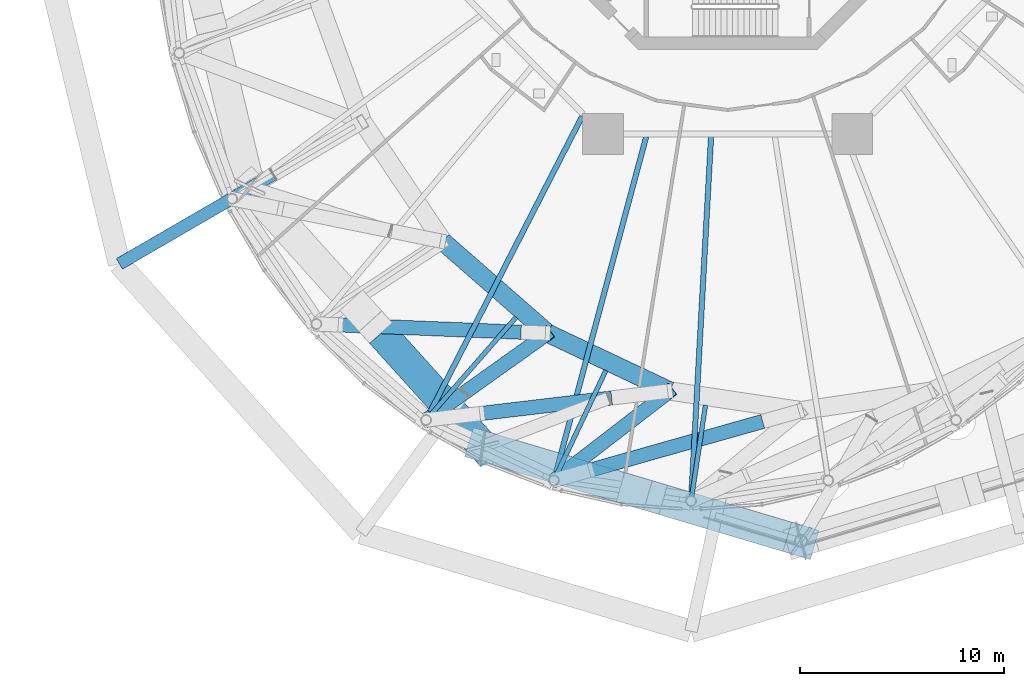
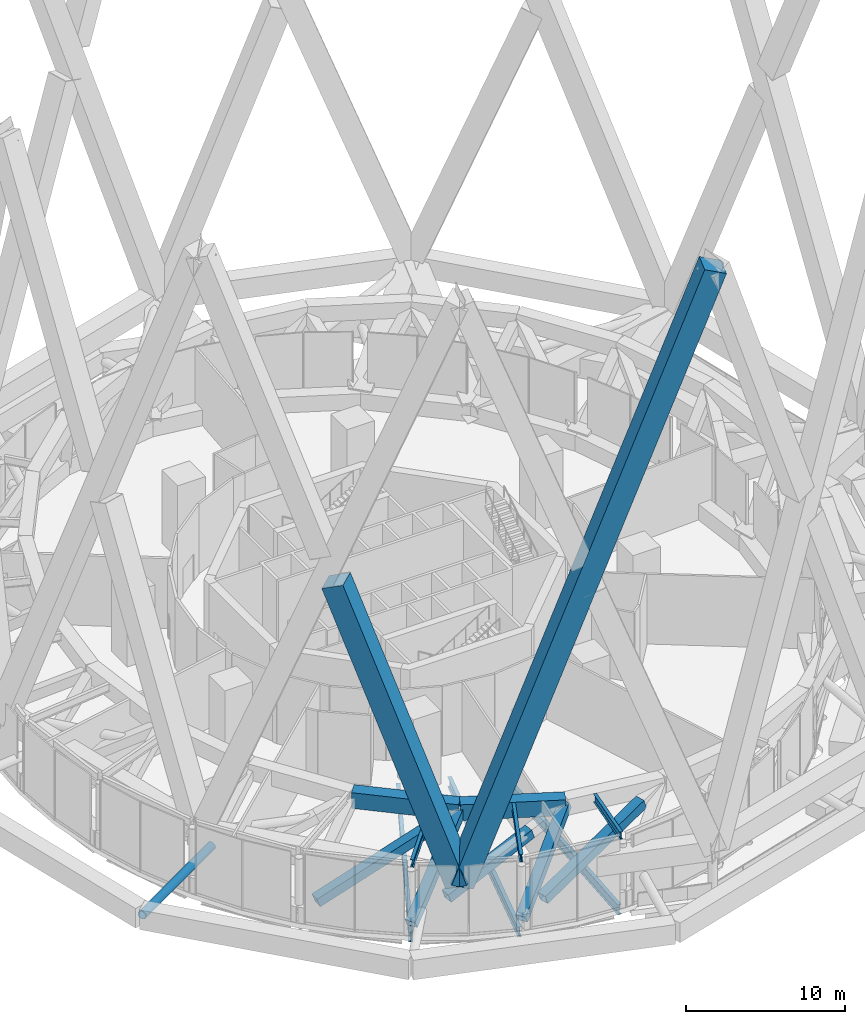
# One storey, part 7 of 49: 13 beams, 3 members.
"""IFC4 building model written with IfcOpenShell, lengths in metres."""

from ifc_helpers import new_model, si_unit, direction, frame, origin, origin_2d, place, context, subcontext, project, spatial, rectangle, hollow_rectangle, hollow_circle, i_section, extrude, material, material_profile, profile_set, type_object, element, save


model = new_model("IFC4")

# Units and contexts
model_context = context("Model", 3, precision=1e-05, world=origin(), true_north=direction((0.0, 1.0)))
body_context = subcontext(model_context, "Body", "Model", "MODEL_VIEW")
ifc_project = project(units=[si_unit("LENGTHUNIT", "METRE"), si_unit("AREAUNIT", "SQUARE_METRE"), si_unit("VOLUMEUNIT", "CUBIC_METRE"), si_unit("PLANEANGLEUNIT", "RADIAN"), si_unit("MASSUNIT", "GRAM", prefix="KILO")], contexts=[model_context])

# Site, building, storey
site_placement = place(None, origin())
site = spatial("IfcSite", under=ifc_project, at=site_placement, CompositionType="ELEMENT")
building_placement = place(site_placement, origin())
building = spatial("IfcBuilding", under=site, at=building_placement, Name="Nagisa Residences", CompositionType="ELEMENT")
storey_placement = place(building_placement, frame((0.0, 0.0, 160.300048828125)))
storey = spatial("IfcBuildingStorey", under=building, at=storey_placement, Name="L40", CompositionType="ELEMENT", Elevation=160.300048828125)

# Beams
ifc_material_1 = material(Name="Steel ASTM A572 Gr 50", Category="steel")
ifc_material_profile_1 = material_profile(ifc_material_1, hollow_rectangle(XDim=0.89990234375, YDim=1.199951171875, WallThickness=0.044921875, at=origin_2d()), Name="BX 900x1200x45")
ifc_profile_set_1 = profile_set([ifc_material_profile_1], Name="Steel ASTM A572 Gr 50")
beam_type_1 = type_object("IfcBeamType", Name="Belt chord 3 BX 900x1200x45", PredefinedType="BEAM", material=ifc_profile_set_1)
beam_1_placement = place(storey_placement, frame((-13.9892578125, -20.064208984375, 4.739990234375), z_axis=(0.75247507353, -0.658620728277, 0.0), x_axis=(0.658620728277, 0.75247507353, 0.0)))
element("IfcBeam", 1, at=beam_1_placement, inside=storey, type_object=beam_type_1, Name="beam:L40:bt3t16", PredefinedType="BEAM", context=body_context, shape_type="SweptSolid", body=[
    extrude(hollow_rectangle(XDim=0.89990234375, YDim=1.199951171875, WallThickness=0.044921875, at=origin_2d()), origin(), (0.0, 0.0, 1.0), 6.846435546875),
])
beam_2_placement = place(storey_placement, frame((-8.83740234375, -24.573486328125, 4.739990234375), z_axis=(0.90414798846, -0.427219399097, 0.0), x_axis=(0.427219399097, 0.90414798846, 0.0)))
element("IfcBeam", 2, at=beam_2_placement, inside=storey, type_object=beam_type_1, Name="beam:L40:bt3t17", PredefinedType="BEAM", context=body_context, shape_type="SweptSolid", body=[
    extrude(hollow_rectangle(XDim=0.89990234375, YDim=1.199951171875, WallThickness=0.044921875, at=origin_2d()), origin(), (0.0, 0.0, 1.0), 6.63525390625),
])
ifc_material_2 = material(Name="Steel ASTM A572 Gr 50", Category="steel")
ifc_material_profile_2 = material_profile(ifc_material_2, hollow_rectangle(XDim=0.699951171875, YDim=0.699951171875, WallThickness=0.0400390625, at=origin_2d()), Name="BX 700x700x40")
ifc_profile_set_2 = profile_set([ifc_material_profile_2], Name="Steel ASTM A572 Gr 50")
beam_type_2 = type_object("IfcBeamType", Name="Belt diagonal 3 BX 700x700x40", PredefinedType="BEAM", material=ifc_profile_set_2)
beam_3_placement = place(storey_placement, frame((-19.0146484375, -24.163330078125, 1.034912109375), z_axis=(0.938993264589, -0.03784966463, 0.341846532736), x_axis=(0.040276064232, 0.999188590132, 0.0)))
element("IfcBeam", 3, at=beam_3_placement, inside=storey, type_object=beam_type_2, Name="beam:L40:bt3db16", PredefinedType="BEAM", context=body_context, shape_type="SweptSolid", body=[
    extrude(hollow_rectangle(XDim=0.699951171875, YDim=0.699951171875, WallThickness=0.0400390625, at=origin_2d()), origin(), (0.0, 0.0, 1.0), 9.565673828125),
])
beam_4_placement = place(storey_placement, frame((-14.8173828125, -28.834228515625, 0.599853515625), z_axis=(0.709419278494, 0.505461960001, 0.491154246946), x_axis=(-0.580275340537, 0.814420363918, 0.0)))
element("IfcBeam", 4, at=beam_4_placement, inside=storey, type_object=beam_type_2, Name="beam:L40:bt3da17", PredefinedType="BEAM", context=body_context, shape_type="SweptSolid", body=[
    extrude(hollow_rectangle(XDim=0.699951171875, YDim=0.699951171875, WallThickness=0.0400390625, at=origin_2d()), origin(), (0.0, 0.0, 1.0), 8.429443359375),
])
beam_5_placement = place(storey_placement, frame((-12.068603515625, -28.507080078125, 1.550048828125), z_axis=(0.939223203567, 0.111826605389, 0.324583709094), x_axis=(-0.118227817133, 0.992986497016, 0.0)))
element("IfcBeam", 5, at=beam_5_placement, inside=storey, type_object=beam_type_2, Name="beam:L40:bt3db17", PredefinedType="BEAM", context=body_context, shape_type="SweptSolid", body=[
    extrude(hollow_rectangle(XDim=0.699951171875, YDim=0.699951171875, WallThickness=0.0400390625, at=origin_2d()), origin(), (0.0, 0.0, 1.0), 6.901123046875),
])
beam_6_placement = place(storey_placement, frame((-8.538330078125, -31.80078125, 0.599853515625), z_axis=(0.6865826732, 0.52908152545, 0.49867521724), x_axis=(-0.61039258197, 0.792099044233, 0.0)))
element("IfcBeam", 6, at=beam_6_placement, inside=storey, type_object=beam_type_2, Name="beam:L40:bt3da18", PredefinedType="BEAM", context=body_context, shape_type="SweptSolid", body=[
    extrude(hollow_rectangle(XDim=0.699951171875, YDim=0.699951171875, WallThickness=0.0400390625, at=origin_2d()), origin(), (0.0, 0.0, 1.0), 8.30224609375),
])
beam_7_placement = place(storey_placement, frame((-6.705810546875, -31.28369140625, 1.224853515625), z_axis=(0.914398768364, 0.258068362159, 0.311890385981), x_axis=(-0.271617143766, 0.962405386109, 0.0)))
element("IfcBeam", 7, at=beam_7_placement, inside=storey, type_object=beam_type_2, Name="beam:L40:bt3db18", PredefinedType="BEAM", context=body_context, shape_type="SweptSolid", body=[
    extrude(hollow_rectangle(XDim=0.699951171875, YDim=0.699951171875, WallThickness=0.0400390625, at=origin_2d()), origin(), (0.0, 0.0, 1.0), 9.330810546875),
])

# Members
ifc_material_3 = material(Name="Concrete C80", Category="concrete")
ifc_material_profile_3 = material_profile(ifc_material_3, rectangle(XDim=1.5, YDim=1.5, at=origin_2d()), Name="C80 1500x1500")
ifc_profile_set_3 = profile_set([ifc_material_profile_3], Name="Concrete C80")
member_type_1 = type_object("IfcMemberType", Name="Cage diagonal 4 C80 1500x1500", PredefinedType="BRACE", material=ifc_profile_set_3)
member_1_placement = place(storey_placement, frame((-12.03759765625, -30.115966796875, 3.699951171875), z_axis=(-0.240088711993, 0.266960868955, 0.933321651319), x_axis=(-0.743537936889, -0.668693753827, 0.0)))
element("IfcMember", 8, at=member_1_placement, inside=storey, type_object=member_type_1, Name="mem:L40:cg4d016a", PredefinedType="BRACE", context=body_context, shape_type="SweptSolid", body=[
    extrude(rectangle(XDim=1.5, YDim=1.5, at=origin_2d()), origin(), (0.0, 0.0, 1.0), 22.740478515625),
])
member_2_placement = place(storey_placement, frame((-12.03759765625, -30.115966796875, 3.699951171875), z_axis=(0.329928774067, -0.098295615992, 0.938874313164), x_axis=(0.285527172125, 0.958370614104, 0.0)))
element("IfcMember", 9, at=member_2_placement, inside=storey, type_object=member_type_1, Name="mem:L40:cg4d017", PredefinedType="BRACE", context=body_context, shape_type="SweptSolid", body=[
    extrude(rectangle(XDim=1.5, YDim=1.5, at=origin_2d()), origin(), (0.0, 0.0, 1.0), 47.397216796875),
])
ifc_material_4 = material(Name="Steel ASTM A572 Gr 65", Category="steel")
ifc_material_profile_4 = material_profile(ifc_material_4, hollow_circle(Radius=0.304931640625, WallThickness=0.02490234375, at=origin_2d()), Name="CHS 610x25")
ifc_profile_set_4 = profile_set([ifc_material_profile_4], Name="Steel ASTM A572 Gr 65")
member_type_2 = type_object("IfcMemberType", Name="Cage strut CHS 610x25", PredefinedType="STRUT", material=ifc_profile_set_4)
member_3_placement = place(storey_placement, frame((-29.8896484375, -21.165283203125, 1.89990234375), z_axis=(0.864778766909, 0.502153048684, 0.0), x_axis=(-0.502153048684, 0.864778766909, 0.0)))
element("IfcMember", 10, at=member_3_placement, inside=storey, type_object=member_type_2, Name="mem:L40:bt3st3a08", PredefinedType="STRUT", context=body_context, shape_type="SweptSolid", body=[
    extrude(hollow_circle(Radius=0.304931640625, WallThickness=0.02490234375, at=origin_2d()), origin(), (0.0, 0.0, 1.0), 8.73486328125),
])

# Beams
ifc_material_5 = material(Name="Steel ASTM A572 Gr 50", Category="steel")
ifc_material_profile_5 = material_profile(ifc_material_5, i_section(OverallWidth=0.22802734375, OverallDepth=0.60302734375, WebThickness=0.010498046875, FlangeThickness=0.014892578125, at=origin_2d()), Name="W610x101")
ifc_profile_set_5 = profile_set([ifc_material_profile_5], Name="Steel ASTM A572 Gr 50")
beam_type_3 = type_object("IfcBeamType", Name="Garden radial beam W610x101", PredefinedType="BEAM", material=ifc_profile_set_5)
beam_8_placement = place(storey_placement, frame((-14.663330078125, -28.658203125, 5.038330078125), z_axis=(0.65862728459, 0.752469334919, 0.0), x_axis=(-0.752469334919, 0.65862728459, 0.0)))
element("IfcBeam", 11, at=beam_8_placement, inside=storey, type_object=beam_type_3, Name="beam:L40:bt3gr17", PredefinedType="BEAM", context=body_context, shape_type="SweptSolid", body=[
    extrude(i_section(OverallWidth=0.22802734375, OverallDepth=0.60302734375, WebThickness=0.010498046875, FlangeThickness=0.014892578125, at=origin_2d()), origin(), (0.0, 0.0, 1.0), 6.480712890625),
])
beam_9_placement = place(storey_placement, frame((-8.4384765625, -31.58935546875, 5.038330078125), z_axis=(0.427207135804, 0.904153782892, 0.0), x_axis=(-0.904153782892, 0.427207135804, 0.0)))
element("IfcBeam", 12, at=beam_9_placement, inside=storey, type_object=beam_type_3, Name="beam:L40:bt3gr18", PredefinedType="BEAM", context=body_context, shape_type="SweptSolid", body=[
    extrude(i_section(OverallWidth=0.22802734375, OverallDepth=0.60302734375, WebThickness=0.010498046875, FlangeThickness=0.014892578125, at=origin_2d()), origin(), (0.0, 0.0, 1.0), 5.742919921875),
])
beam_10_placement = place(storey_placement, frame((-1.76513671875, -32.581298828125, 5.038330078125), z_axis=(0.148485511191, 0.988914583251, 0.0), x_axis=(-0.988914583251, 0.148485511191, 0.0)))
element("IfcBeam", 13, at=beam_10_placement, inside=storey, type_object=beam_type_3, Name="beam:L40:bt3gr19", PredefinedType="BEAM", context=body_context, shape_type="SweptSolid", body=[
    extrude(i_section(OverallWidth=0.22802734375, OverallDepth=0.60302734375, WebThickness=0.010498046875, FlangeThickness=0.014892578125, at=origin_2d()), origin(), (0.0, 0.0, 1.0), 4.526611328125),
])
ifc_material_6 = material(Name="Steel ASTM A572 Gr 50", Category="steel")
ifc_material_profile_6 = material_profile(ifc_material_6, i_section(OverallWidth=0.264892578125, OverallDepth=0.7529296875, WebThickness=0.01318359375, FlangeThickness=0.01708984375, at=origin_2d()), Name="W760x147")
ifc_profile_set_6 = profile_set([ifc_material_profile_6], Name="Steel ASTM A572 Gr 50")
beam_type_4 = type_object("IfcBeamType", Name="Radial beam W760x147", PredefinedType="BEAM", material=ifc_profile_set_6)
beam_11_placement = place(storey_placement, frame((-14.619873046875, -28.449462890625, -0.7265625), z_axis=(0.457079052581, 0.889426073202, 0.0), x_axis=(-0.889426073202, 0.457079052581, 0.0)))
element("IfcBeam", 14, at=beam_11_placement, inside=storey, type_object=beam_type_4, Name="beam:L40:rb17", PredefinedType="BEAM", context=body_context, shape_type="SweptSolid", body=[
    extrude(i_section(OverallWidth=0.264892578125, OverallDepth=0.7529296875, WebThickness=0.01318359375, FlangeThickness=0.01708984375, at=origin_2d()), origin(), (0.0, 0.0, 1.0), 16.327392578125),
])
beam_12_placement = place(storey_placement, frame((-8.4267578125, -31.38525390625, -0.7265625), z_axis=(0.259308293996, 0.965794599625, 0.0), x_axis=(-0.965794599625, 0.259308293996, 0.0)))
element("IfcBeam", 15, at=beam_12_placement, inside=storey, type_object=beam_type_4, Name="beam:L40:rb18", PredefinedType="BEAM", context=body_context, shape_type="SweptSolid", body=[
    extrude(i_section(OverallWidth=0.264892578125, OverallDepth=0.7529296875, WebThickness=0.01318359375, FlangeThickness=0.01708984375, at=origin_2d()), origin(), (0.0, 0.0, 1.0), 17.06005859375),
])
beam_13_placement = place(storey_placement, frame((-1.7763671875, -32.382568359375, -0.7265625), z_axis=(0.054769224302, 0.998499039594, 0.0), x_axis=(-0.998499039594, 0.054769224302, 0.0)))
element("IfcBeam", 16, at=beam_13_placement, inside=storey, type_object=beam_type_4, Name="beam:L40:rb19", PredefinedType="BEAM", context=body_context, shape_type="SweptSolid", body=[
    extrude(i_section(OverallWidth=0.264892578125, OverallDepth=0.7529296875, WebThickness=0.01318359375, FlangeThickness=0.01708984375, at=origin_2d()), origin(), (0.0, 0.0, 1.0), 17.500732421875),
])

save(model, "model.ifc")
